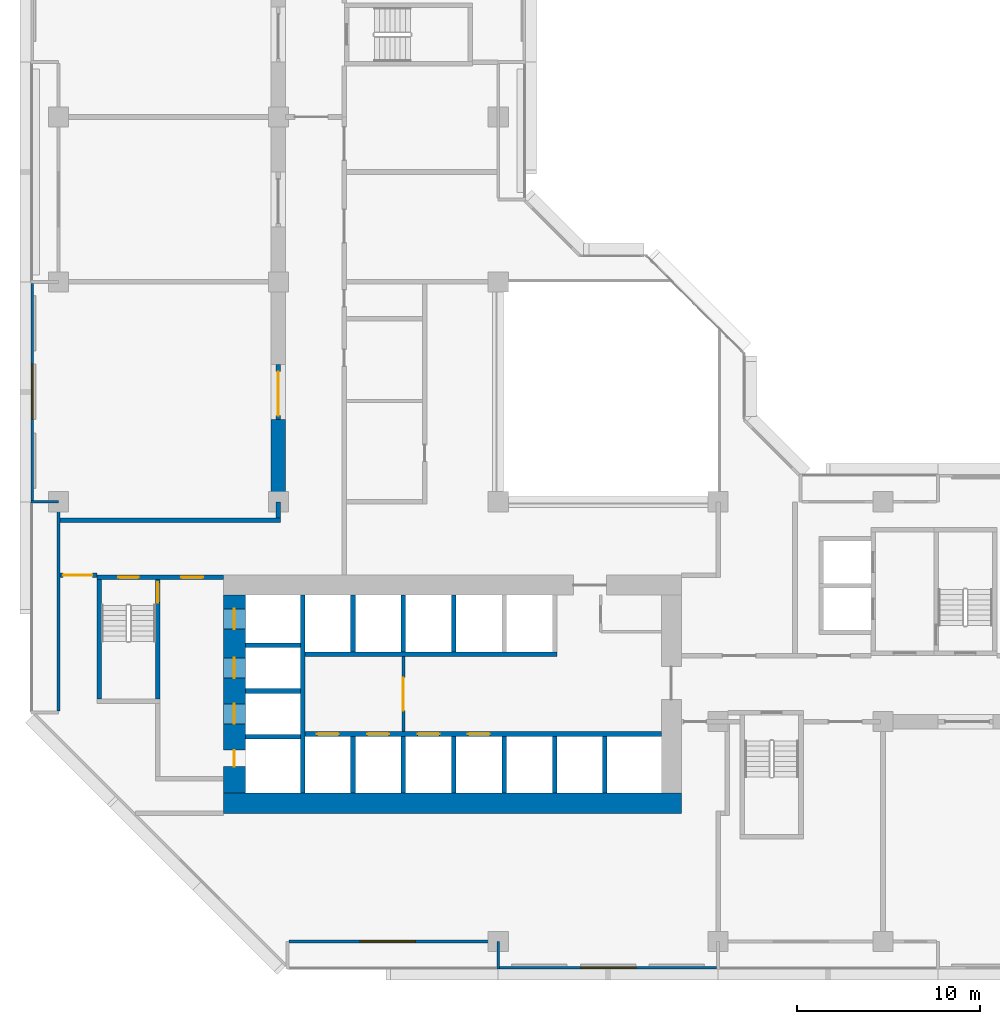
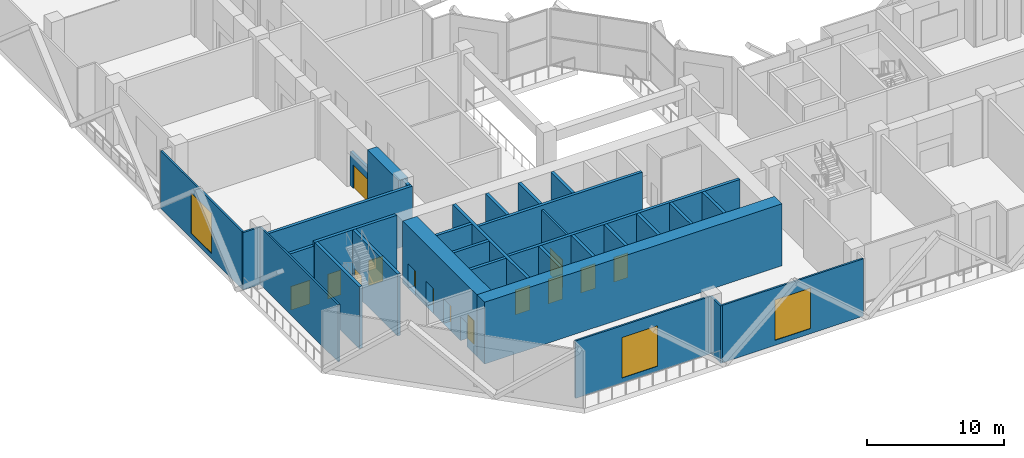
# One storey, part 6 of 14: 32 walls, 14 doors, 3 windows, 17 openings.
"""IFC4 building model written with IfcOpenShell, lengths in metres."""

from ifc_helpers import new_model, si_unit, direction, frame, frame_2d, origin, place, context, subcontext, project, spatial, rectangle, extrude, material, layer, layer_set, type_object, element, fill, save


model = new_model("IFC4")

# Units and contexts
model_context = context("Model", 3, precision=1e-05, world=origin(), true_north=direction((0.0, 1.0)))
body_context = subcontext(model_context, "Body", "Model", "MODEL_VIEW")
ifc_project = project(units=[si_unit("LENGTHUNIT", "METRE"), si_unit("AREAUNIT", "SQUARE_METRE"), si_unit("VOLUMEUNIT", "CUBIC_METRE"), si_unit("PLANEANGLEUNIT", "RADIAN"), si_unit("MASSUNIT", "GRAM", prefix="KILO")], contexts=[model_context])

# Site, building, storey
site_placement = place(None, origin())
site = spatial("IfcSite", under=ifc_project, at=site_placement, CompositionType="ELEMENT")
building_placement = place(site_placement, origin())
building = spatial("IfcBuilding", under=site, at=building_placement, Name="Chenar Terraces", CompositionType="ELEMENT")
storey_placement = place(building_placement, frame((0.0, 0.0, 86.39990234375)))
storey = spatial("IfcBuildingStorey", under=building, at=storey_placement, Name="L19", CompositionType="ELEMENT", Elevation=86.39990234375)

# Wall
ifc_material_1 = material(Name="Concrete C70/85", Category="concrete")
ifc_layer_1 = layer(ifc_material_1, 0.800048828125)
ifc_layer_set_1 = layer_set([ifc_layer_1], Name="Concrete C70/85")
wall_type_1 = type_object("IfcWallType", Name="Belt wall 800 Concrete C70/85", PredefinedType="SHEAR", material=ifc_layer_set_1)
wall_1_placement = place(storey_placement, frame((12.0, 24.0, 0.0), z_axis=(0.0, 0.0, 1.0), x_axis=(0.0, 1.0, 0.0)))
element("IfcWall", 1, at=wall_1_placement, inside=storey, type_object=wall_type_1, Name="Belt wall L19 B1", PredefinedType="SHEAR", context=body_context, shape_type="SweptSolid", body=[
    extrude(rectangle(XDim=4.5, YDim=0.800048828125, at=frame_2d((2.25, 0.0))), origin(), (0.0, 0.0, 1.0), 5.10009765625),
])

# Wall, opening, door
ifc_material_2 = material(Name="Gypsum board on steel studs", Category="steel")
ifc_layer_2 = layer(ifc_material_2, 0.14990234375)
ifc_layer_set_2 = layer_set([ifc_layer_2], Name="Gypsum board on steel studs")
wall_type_2 = type_object("IfcWallType", Name="Core partition 150 gypsum board", PredefinedType="PARTITIONING", material=ifc_layer_set_2)
wall_2_placement = place(storey_placement, frame((18.824951171875, 11.449951171875, 0.0), z_axis=(0.0, 0.0, 1.0), x_axis=(0.0, 1.0, 0.0)))
wall_2 = element("IfcWall", 2, at=wall_2_placement, inside=storey, type_object=wall_type_2, Name="Core partition CP1 lift lobby smoke stop", PredefinedType="PARTITIONING", context=body_context, shape_type="SweptSolid", body=[
    extrude(rectangle(XDim=4.10009765625, YDim=0.14990234375, at=frame_2d((2.050048828125, 0.0))), origin(), (0.0, 0.0, 1.0), 5.10009765625),
])
opening_1_placement = place(wall_2_placement, frame((1.14990234375, 0.0, 0.0)))
opening_1 = element("IfcOpeningElement", 3, at=opening_1_placement, cuts=wall_2, Name="Opening DL19-C12", PredefinedType="OPENING", context=body_context, shape_type="SweptSolid", body=[
    extrude(rectangle(XDim=1.800048828125, YDim=2.39990234375, at=frame_2d((0.89990234375, 1.199951171875))), frame((0.0, 0.0849609375, 0.0), z_axis=(0.0, -1.0, 0.0), x_axis=(1.0, 0.0, 0.0)), (0.0, 0.0, 1.0), 0.169921875),
])
ifc_material_3 = material(Name="Steel-framed fire-resisting door leaf", Category="steel")
door_type_1 = type_object("IfcDoorType", Name="Core entrance double fire door FD60 1800 x 2400", OperationType="DOUBLE_DOOR_SINGLE_SWING", PredefinedType="DOOR", material=ifc_material_3)
door_1_placement = place(opening_1_placement, origin())
door_1 = element("IfcDoor", 4, at=door_1_placement, inside=storey, type_object=door_type_1, Name="Core door DL19-C12", OperationType="DOUBLE_DOOR_SINGLE_SWING", OverallHeight=2.39990234375, OverallWidth=1.800048828125, PredefinedType="DOOR", context=body_context, shape_type="SweptSolid", body=[
    extrude(rectangle(XDim=1.800048828125, YDim=2.39990234375, at=frame_2d((0.89990234375, 1.199951171875))), frame((0.0, 0.02490234375, 0.0), z_axis=(0.0, -1.0, 0.0), x_axis=(1.0, 0.0, 0.0)), (0.0, 0.0, 1.0), 0.050048828125),
])
fill(opening_1, door_1)

# Wall
ifc_material_4 = material(Name="Concrete C70/85", Category="concrete")
ifc_layer_3 = layer(ifc_material_4, 1.10009765625)
ifc_layer_set_3 = layer_set([ifc_layer_3], Name="Concrete C70/85")
wall_type_3 = type_object("IfcWallType", Name="Core wall 1100 Concrete C70/85", PredefinedType="SHEAR", material=ifc_layer_set_3)
wall_3_placement = place(storey_placement, frame((9.0, 7.550048828125, 0.0), z_axis=(0.0, 0.0, 1.0), x_axis=(1.0, 0.0, 0.0)))
element("IfcWall", 5, at=wall_3_placement, inside=storey, type_object=wall_type_3, Name="Core wall S L19", PredefinedType="SHEAR", context=body_context, shape_type="SweptSolid", body=[
    extrude(rectangle(XDim=25.0, YDim=1.10009765625, at=frame_2d((12.5, 0.0))), origin(), (0.0, 0.0, 1.0), 5.5),
])

# Wall, openings, doors
ifc_material_5 = material(Name="Concrete C70/85", Category="concrete")
ifc_layer_4 = layer(ifc_material_5, 1.199951171875)
ifc_layer_set_4 = layer_set([ifc_layer_4], Name="Concrete C70/85")
wall_type_4 = type_object("IfcWallType", Name="Core wall 1200 Concrete C70/85", PredefinedType="SHEAR", material=ifc_layer_set_4)
wall_4_placement = place(storey_placement, frame((9.60009765625, 8.10009765625, 0.0), z_axis=(0.0, 0.0, 1.0), x_axis=(0.0, 1.0, 0.0)))
wall_4 = element("IfcWall", 6, at=wall_4_placement, inside=storey, type_object=wall_type_4, Name="Core wall W L19", PredefinedType="SHEAR", context=body_context, shape_type="SweptSolid", body=[
    extrude(rectangle(XDim=10.7998046875, YDim=1.199951171875, at=frame_2d((5.39990234375, 0.0))), origin(), (0.0, 0.0, 1.0), 5.5),
])
opening_2_placement = place(wall_4_placement, frame((3.77490234375, 0.0, 0.0)))
opening_2 = element("IfcOpeningElement", 7, at=opening_2_placement, cuts=wall_4, Name="Opening DL19-LD5", PredefinedType="OPENING", context=body_context, shape_type="SweptSolid", body=[
    extrude(rectangle(XDim=1.10009765625, YDim=2.199951171875, at=frame_2d((0.550048828125, 1.10009765625))), frame((0.0, 0.60986328125, 0.0), z_axis=(0.0, -1.0, 0.0), x_axis=(1.0, 0.0, 0.0)), (0.0, 0.0, 1.0), 1.219970703125),
])
opening_3_placement = place(wall_4_placement, frame((6.27490234375, 0.0, 0.0)))
opening_3 = element("IfcOpeningElement", 8, at=opening_3_placement, cuts=wall_4, Name="Opening DL19-LD6", PredefinedType="OPENING", context=body_context, shape_type="SweptSolid", body=[
    extrude(rectangle(XDim=1.10009765625, YDim=2.199951171875, at=frame_2d((0.550048828125, 1.10009765625))), frame((0.0, 0.60986328125, 0.0), z_axis=(0.0, -1.0, 0.0), x_axis=(1.0, 0.0, 0.0)), (0.0, 0.0, 1.0), 1.219970703125),
])
opening_4_placement = place(wall_4_placement, frame((8.949951171875, 0.0, 0.0)))
opening_4 = element("IfcOpeningElement", 9, at=opening_4_placement, cuts=wall_4, Name="Opening DL19-LD7", PredefinedType="OPENING", context=body_context, shape_type="SweptSolid", body=[
    extrude(rectangle(XDim=1.10009765625, YDim=2.199951171875, at=frame_2d((0.550048828125, 1.10009765625))), frame((0.0, 0.60986328125, 0.0), z_axis=(0.0, -1.0, 0.0), x_axis=(1.0, 0.0, 0.0)), (0.0, 0.0, 1.0), 1.219970703125),
])
opening_5_placement = place(wall_4_placement, frame((1.449951171875, 0.0, 0.0)))
opening_5 = element("IfcOpeningElement", 10, at=opening_5_placement, cuts=wall_4, Name="Opening DL19-C4", PredefinedType="OPENING", context=body_context, shape_type="SweptSolid", body=[
    extrude(rectangle(XDim=0.89990234375, YDim=2.10009765625, at=frame_2d((0.449951171875, 1.050048828125))), frame((0.0, 0.60986328125, 0.0), z_axis=(0.0, -1.0, 0.0), x_axis=(1.0, 0.0, 0.0)), (0.0, 0.0, 1.0), 1.219970703125),
])
ifc_material_6 = material(Name="Stainless steel", Category="steel")
door_type_2 = type_object("IfcDoorType", Name="Lift landing door 1100 x 2200 sliding", OperationType="DOUBLE_DOOR_SLIDING", PredefinedType="DOOR", material=ifc_material_6)
door_2_placement = place(opening_2_placement, origin())
door_2 = element("IfcDoor", 11, at=door_2_placement, inside=storey, type_object=door_type_2, Name="Landing door S1", OperationType="DOUBLE_DOOR_SLIDING", OverallHeight=2.199951171875, OverallWidth=1.10009765625, PredefinedType="DOOR", context=body_context, shape_type="SweptSolid", body=[
    extrude(rectangle(XDim=1.10009765625, YDim=2.199951171875, at=frame_2d((0.550048828125, 1.10009765625))), frame((0.0, 0.02490234375, 0.0), z_axis=(0.0, -1.0, 0.0), x_axis=(1.0, 0.0, 0.0)), (0.0, 0.0, 1.0), 0.050048828125),
])
fill(opening_2, door_2)
door_3_placement = place(opening_3_placement, origin())
door_3 = element("IfcDoor", 12, at=door_3_placement, inside=storey, type_object=door_type_2, Name="Landing door F1", OperationType="DOUBLE_DOOR_SLIDING", OverallHeight=2.199951171875, OverallWidth=1.10009765625, PredefinedType="DOOR", context=body_context, shape_type="SweptSolid", body=[
    extrude(rectangle(XDim=1.10009765625, YDim=2.199951171875, at=frame_2d((0.550048828125, 1.10009765625))), frame((0.0, 0.02490234375, 0.0), z_axis=(0.0, -1.0, 0.0), x_axis=(1.0, 0.0, 0.0)), (0.0, 0.0, 1.0), 0.050048828125),
])
fill(opening_3, door_3)
door_4_placement = place(opening_4_placement, origin())
door_4 = element("IfcDoor", 13, at=door_4_placement, inside=storey, type_object=door_type_2, Name="Landing door F2", OperationType="DOUBLE_DOOR_SLIDING", OverallHeight=2.199951171875, OverallWidth=1.10009765625, PredefinedType="DOOR", context=body_context, shape_type="SweptSolid", body=[
    extrude(rectangle(XDim=1.10009765625, YDim=2.199951171875, at=frame_2d((0.550048828125, 1.10009765625))), frame((0.0, 0.02490234375, 0.0), z_axis=(0.0, -1.0, 0.0), x_axis=(1.0, 0.0, 0.0)), (0.0, 0.0, 1.0), 0.050048828125),
])
fill(opening_4, door_4)
ifc_material_7 = material(Name="Steel-framed fire-resisting door leaf", Category="steel")
door_type_3 = type_object("IfcDoorType", Name="Riser fire door FD60 900 x 2100", OperationType="SINGLE_SWING_LEFT", PredefinedType="DOOR", material=ifc_material_7)
door_5_placement = place(opening_5_placement, frame((0.89990234375, 0.0, 0.0), z_axis=(0.0, 0.0, 1.0), x_axis=(-1.0, 0.0, 0.0)))
door_5 = element("IfcDoor", 14, at=door_5_placement, inside=storey, type_object=door_type_3, Name="Riser door DL19-C4", OperationType="SINGLE_SWING_RIGHT", OverallHeight=2.10009765625, OverallWidth=0.89990234375, PredefinedType="DOOR", context=body_context, shape_type="SweptSolid", body=[
    extrude(rectangle(XDim=0.89990234375, YDim=2.10009765625, at=frame_2d((0.449951171875, 1.050048828125))), frame((0.0, 0.02490234375, 0.0), z_axis=(0.0, -1.0, 0.0), x_axis=(1.0, 0.0, 0.0)), (0.0, 0.0, 1.0), 0.050048828125),
])
fill(opening_5, door_5)

# Wall
ifc_material_8 = material(Name="Concrete C70/85", Category="concrete")
ifc_layer_5 = layer(ifc_material_8, 0.25)
ifc_layer_set_5 = layer_set([ifc_layer_5], Name="Concrete C70/85")
wall_type_5 = type_object("IfcWallType", Name="Core wall 250 Concrete C70/85", PredefinedType="SHEAR", material=ifc_layer_set_5)
wall_5_placement = place(storey_placement, frame((13.324951171875, 8.10009765625, 0.0), z_axis=(0.0, 0.0, 1.0), x_axis=(0.0, 1.0, 0.0)))
element("IfcWall", 15, at=wall_5_placement, inside=storey, type_object=wall_type_5, Name="Core wall WI L19", PredefinedType="SHEAR", context=body_context, shape_type="SweptSolid", body=[
    extrude(rectangle(XDim=10.7998046875, YDim=0.25, at=frame_2d((5.39990234375, 0.0))), origin(), (0.0, 0.0, 1.0), 5.5),
])

# Wall, openings, doors
wall_6_placement = place(storey_placement, frame((13.449951171875, 11.324951171875, 0.0), z_axis=(0.0, 0.0, 1.0), x_axis=(1.0, 0.0, 0.0)))
wall_6 = element("IfcWall", 16, at=wall_6_placement, inside=storey, type_object=wall_type_5, Name="Core wall SF L19", PredefinedType="SHEAR", context=body_context, shape_type="SweptSolid", body=[
    extrude(rectangle(XDim=19.449951171875, YDim=0.25, at=frame_2d((9.72509765625, 0.0))), origin(), (0.0, 0.0, 1.0), 5.5),
])
opening_6_placement = place(wall_6_placement, frame((0.64990234375, 0.0, 0.0)))
opening_6 = element("IfcOpeningElement", 17, at=opening_6_placement, cuts=wall_6, Name="Opening DL19-LD1", PredefinedType="OPENING", context=body_context, shape_type="SweptSolid", body=[
    extrude(rectangle(XDim=1.199951171875, YDim=2.199951171875, at=frame_2d((0.60009765625, 1.10009765625))), frame((0.0, 0.135009765625, 0.0), z_axis=(0.0, -1.0, 0.0), x_axis=(1.0, 0.0, 0.0)), (0.0, 0.0, 1.0), 0.27001953125),
])
opening_7_placement = place(wall_6_placement, frame((3.39990234375, 0.0, 0.0)))
opening_7 = element("IfcOpeningElement", 18, at=opening_7_placement, cuts=wall_6, Name="Opening DL19-LD2", PredefinedType="OPENING", context=body_context, shape_type="SweptSolid", body=[
    extrude(rectangle(XDim=1.199951171875, YDim=2.199951171875, at=frame_2d((0.60009765625, 1.10009765625))), frame((0.0, 0.135009765625, 0.0), z_axis=(0.0, -1.0, 0.0), x_axis=(1.0, 0.0, 0.0)), (0.0, 0.0, 1.0), 0.27001953125),
])
opening_8_placement = place(wall_6_placement, frame((6.14990234375, 0.0, 0.0)))
opening_8 = element("IfcOpeningElement", 19, at=opening_8_placement, cuts=wall_6, Name="Opening DL19-LD3", PredefinedType="OPENING", context=body_context, shape_type="SweptSolid", body=[
    extrude(rectangle(XDim=1.199951171875, YDim=2.199951171875, at=frame_2d((0.60009765625, 1.10009765625))), frame((0.0, 0.135009765625, 0.0), z_axis=(0.0, -1.0, 0.0), x_axis=(1.0, 0.0, 0.0)), (0.0, 0.0, 1.0), 0.27001953125),
])
opening_9_placement = place(wall_6_placement, frame((8.89990234375, 0.0, 0.0)))
opening_9 = element("IfcOpeningElement", 20, at=opening_9_placement, cuts=wall_6, Name="Opening DL19-LD4", PredefinedType="OPENING", context=body_context, shape_type="SweptSolid", body=[
    extrude(rectangle(XDim=1.199951171875, YDim=2.199951171875, at=frame_2d((0.60009765625, 1.10009765625))), frame((0.0, 0.135009765625, 0.0), z_axis=(0.0, -1.0, 0.0), x_axis=(1.0, 0.0, 0.0)), (0.0, 0.0, 1.0), 0.27001953125),
])
ifc_material_9 = material(Name="Stainless steel", Category="steel")
door_type_4 = type_object("IfcDoorType", Name="Lift landing door 1200 x 2200 sliding", OperationType="DOUBLE_DOOR_SLIDING", PredefinedType="DOOR", material=ifc_material_9)
door_6_placement = place(opening_6_placement, origin())
door_6 = element("IfcDoor", 21, at=door_6_placement, inside=storey, type_object=door_type_4, Name="Landing door L1", OperationType="DOUBLE_DOOR_SLIDING", OverallHeight=2.199951171875, OverallWidth=1.199951171875, PredefinedType="DOOR", context=body_context, shape_type="SweptSolid", body=[
    extrude(rectangle(XDim=1.199951171875, YDim=2.199951171875, at=frame_2d((0.60009765625, 1.10009765625))), frame((0.0, 0.02490234375, 0.0), z_axis=(0.0, -1.0, 0.0), x_axis=(1.0, 0.0, 0.0)), (0.0, 0.0, 1.0), 0.050048828125),
])
fill(opening_6, door_6)
door_7_placement = place(opening_7_placement, origin())
door_7 = element("IfcDoor", 22, at=door_7_placement, inside=storey, type_object=door_type_4, Name="Landing door L2", OperationType="DOUBLE_DOOR_SLIDING", OverallHeight=2.199951171875, OverallWidth=1.199951171875, PredefinedType="DOOR", context=body_context, shape_type="SweptSolid", body=[
    extrude(rectangle(XDim=1.199951171875, YDim=2.199951171875, at=frame_2d((0.60009765625, 1.10009765625))), frame((0.0, 0.02490234375, 0.0), z_axis=(0.0, -1.0, 0.0), x_axis=(1.0, 0.0, 0.0)), (0.0, 0.0, 1.0), 0.050048828125),
])
fill(opening_7, door_7)
door_8_placement = place(opening_8_placement, origin())
door_8 = element("IfcDoor", 23, at=door_8_placement, inside=storey, type_object=door_type_4, Name="Landing door L3", OperationType="DOUBLE_DOOR_SLIDING", OverallHeight=2.199951171875, OverallWidth=1.199951171875, PredefinedType="DOOR", context=body_context, shape_type="SweptSolid", body=[
    extrude(rectangle(XDim=1.199951171875, YDim=2.199951171875, at=frame_2d((0.60009765625, 1.10009765625))), frame((0.0, 0.02490234375, 0.0), z_axis=(0.0, -1.0, 0.0), x_axis=(1.0, 0.0, 0.0)), (0.0, 0.0, 1.0), 0.050048828125),
])
fill(opening_8, door_8)
door_9_placement = place(opening_9_placement, origin())
door_9 = element("IfcDoor", 24, at=door_9_placement, inside=storey, type_object=door_type_4, Name="Landing door L4", OperationType="DOUBLE_DOOR_SLIDING", OverallHeight=2.199951171875, OverallWidth=1.199951171875, PredefinedType="DOOR", context=body_context, shape_type="SweptSolid", body=[
    extrude(rectangle(XDim=1.199951171875, YDim=2.199951171875, at=frame_2d((0.60009765625, 1.10009765625))), frame((0.0, 0.02490234375, 0.0), z_axis=(0.0, -1.0, 0.0), x_axis=(1.0, 0.0, 0.0)), (0.0, 0.0, 1.0), 0.050048828125),
])
fill(opening_9, door_9)

# Walls
wall_7_placement = place(storey_placement, frame((13.449951171875, 15.675048828125, 0.0), z_axis=(0.0, 0.0, 1.0), x_axis=(1.0, 0.0, 0.0)))
element("IfcWall", 25, at=wall_7_placement, inside=storey, type_object=wall_type_5, Name="Core wall NF L19", PredefinedType="SHEAR", context=body_context, shape_type="SweptSolid", body=[
    extrude(rectangle(XDim=13.75, YDim=0.25, at=frame_2d((6.875, 0.0))), origin(), (0.0, 0.0, 1.0), 5.5),
])
for number, where, z_axis, x_axis, name in (
    (26, (10.199951171875, 11.175048828125, 0.0), (0.0, 0.0, 1.0), (1.0, 0.0, 0.0), "Core wall HW0 L19"),
    (27, (10.199951171875, 13.675048828125, 0.0), (0.0, 0.0, 1.0), (1.0, 0.0, 0.0), "Core wall HW1 L19"),
    (28, (10.199951171875, 16.175048828125, 0.0), (0.0, 0.0, 1.0), (1.0, 0.0, 0.0), "Core wall HW2 L19"),
):
    element("IfcWall", number, at=place(storey_placement, frame(where, z_axis=z_axis, x_axis=x_axis)), inside=storey, type_object=wall_type_5, Name=name, PredefinedType="SHEAR", context=body_context, shape_type="SweptSolid", body=[
        extrude(rectangle(XDim=3.0, YDim=0.25, at=frame_2d((1.5, 0.0))), origin(), (0.0, 0.0, 1.0), 5.5),
    ])
for number, where, z_axis, x_axis, name in (
    (29, (16.074951171875, 8.10009765625, 0.0), (0.0, 0.0, 1.0), (0.0, 1.0, 0.0), "Core wall SS0 L19"),
    (30, (18.824951171875, 8.10009765625, 0.0), (0.0, 0.0, 1.0), (0.0, 1.0, 0.0), "Core wall SS1 L19"),
    (31, (21.574951171875, 8.10009765625, 0.0), (0.0, 0.0, 1.0), (0.0, 1.0, 0.0), "Core wall SS2 L19"),
    (32, (24.324951171875, 8.10009765625, 0.0), (0.0, 0.0, 1.0), (0.0, 1.0, 0.0), "Core wall SS3 L19"),
    (33, (27.074951171875, 8.10009765625, 0.0), (0.0, 0.0, 1.0), (0.0, 1.0, 0.0), "Core wall SS4 L19"),
    (34, (29.824951171875, 8.10009765625, 0.0), (0.0, 0.0, 1.0), (0.0, 1.0, 0.0), "Core wall SS5 L19"),
    (35, (16.074951171875, 15.800048828125, 0.0), (0.0, 0.0, 1.0), (0.0, 1.0, 0.0), "Core wall NS0 L19"),
    (36, (18.824951171875, 15.800048828125, 0.0), (0.0, 0.0, 1.0), (0.0, 1.0, 0.0), "Core wall NS1 L19"),
    (37, (21.574951171875, 15.800048828125, 0.0), (0.0, 0.0, 1.0), (0.0, 1.0, 0.0), "Core wall NS2 L19"),
):
    element("IfcWall", number, at=place(storey_placement, frame(where, z_axis=z_axis, x_axis=x_axis)), inside=storey, type_object=wall_type_5, Name=name, PredefinedType="SHEAR", context=body_context, shape_type="SweptSolid", body=[
        extrude(rectangle(XDim=3.099853515625, YDim=0.25, at=frame_2d((1.5498046875, 0.0))), origin(), (0.0, 0.0, 1.0), 5.5),
    ])

# Wall, openings, doors
wall_8_placement = place(storey_placement, frame((2.10009765625, 19.875, 0.0), z_axis=(0.0, 0.0, 1.0), x_axis=(1.0, 0.0, 0.0)))
wall_8 = element("IfcWall", 38, at=wall_8_placement, inside=storey, type_object=wall_type_5, Name="Core wall A_N L19", PredefinedType="SHEAR", context=body_context, shape_type="SweptSolid", body=[
    extrude(rectangle(XDim=6.89990234375, YDim=0.25, at=frame_2d((3.449951171875, 0.0))), origin(), (0.0, 0.0, 1.0), 5.5),
])
opening_10_placement = place(wall_8_placement, frame((1.175048828125, 0.0, 0.0)))
opening_10 = element("IfcOpeningElement", 39, at=opening_10_placement, cuts=wall_8, Name="Opening DL19-C5", PredefinedType="OPENING", context=body_context, shape_type="SweptSolid", body=[
    extrude(rectangle(XDim=1.10009765625, YDim=2.199951171875, at=frame_2d((0.550048828125, 1.10009765625))), frame((0.0, 0.135009765625, 0.0), z_axis=(0.0, -1.0, 0.0), x_axis=(1.0, 0.0, 0.0)), (0.0, 0.0, 1.0), 0.27001953125),
])
opening_11_placement = place(wall_8_placement, frame((4.60009765625, 0.0, 0.0)))
opening_11 = element("IfcOpeningElement", 40, at=opening_11_placement, cuts=wall_8, Name="Opening DL19-C6", PredefinedType="OPENING", context=body_context, shape_type="SweptSolid", body=[
    extrude(rectangle(XDim=1.199951171875, YDim=2.199951171875, at=frame_2d((0.60009765625, 1.10009765625))), frame((0.0, 0.135009765625, 0.0), z_axis=(0.0, -1.0, 0.0), x_axis=(1.0, 0.0, 0.0)), (0.0, 0.0, 1.0), 0.27001953125),
])
ifc_material_10 = material(Name="Steel-framed fire-resisting door leaf", Category="steel")
door_type_5 = type_object("IfcDoorType", Name="Lobby fire door FD60 1200 x 2200", OperationType="SINGLE_SWING_LEFT", PredefinedType="DOOR", material=ifc_material_10)
door_10_placement = place(opening_11_placement, frame((1.199951171875, 0.0, 0.0), z_axis=(0.0, 0.0, 1.0), x_axis=(-1.0, 0.0, 0.0)))
door_10 = element("IfcDoor", 41, at=door_10_placement, inside=storey, type_object=door_type_5, Name="Core door DL19-C6", OperationType="SINGLE_SWING_LEFT", OverallHeight=2.199951171875, OverallWidth=1.199951171875, PredefinedType="DOOR", context=body_context, shape_type="SweptSolid", body=[
    extrude(rectangle(XDim=1.199951171875, YDim=2.199951171875, at=frame_2d((0.60009765625, 1.10009765625))), frame((0.0, 0.02490234375, 0.0), z_axis=(0.0, -1.0, 0.0), x_axis=(1.0, 0.0, 0.0)), (0.0, 0.0, 1.0), 0.050048828125),
])
fill(opening_11, door_10)
ifc_material_11 = material(Name="Steel-framed fire-resisting door leaf", Category="steel")
door_type_6 = type_object("IfcDoorType", Name="Stair fire door FD60 1100 x 2200", OperationType="SINGLE_SWING_LEFT", PredefinedType="DOOR", material=ifc_material_11)
door_11_placement = place(opening_10_placement, origin())
door_11 = element("IfcDoor", 42, at=door_11_placement, inside=storey, type_object=door_type_6, Name="Stair door DL19-C5", OperationType="SINGLE_SWING_LEFT", OverallHeight=2.199951171875, OverallWidth=1.10009765625, PredefinedType="DOOR", context=body_context, shape_type="SweptSolid", body=[
    extrude(rectangle(XDim=1.10009765625, YDim=2.199951171875, at=frame_2d((0.550048828125, 1.10009765625))), frame((0.0, 0.02490234375, 0.0), z_axis=(0.0, -1.0, 0.0), x_axis=(1.0, 0.0, 0.0)), (0.0, 0.0, 1.0), 0.050048828125),
])
fill(opening_10, door_11)

# Wall
wall_9_placement = place(storey_placement, frame((2.22509765625, 13.25, 0.0), z_axis=(0.0, 0.0, 1.0), x_axis=(0.0, 1.0, 0.0)))
element("IfcWall", 43, at=wall_9_placement, inside=storey, type_object=wall_type_5, Name="Core wall ST1_W L19", PredefinedType="SHEAR", context=body_context, shape_type="SweptSolid", body=[
    extrude(rectangle(XDim=6.5, YDim=0.25, at=frame_2d((3.25, 0.0))), origin(), (0.0, 0.0, 1.0), 5.5),
])

# Wall, opening, door
wall_10_placement = place(storey_placement, frame((5.425048828125, 13.25, 0.0), z_axis=(0.0, 0.0, 1.0), x_axis=(0.0, 1.0, 0.0)))
wall_10 = element("IfcWall", 44, at=wall_10_placement, inside=storey, type_object=wall_type_5, Name="Core wall ST1_E L19", PredefinedType="SHEAR", context=body_context, shape_type="SweptSolid", body=[
    extrude(rectangle(XDim=6.5, YDim=0.25, at=frame_2d((3.25, 0.0))), origin(), (0.0, 0.0, 1.0), 5.5),
])
opening_12_placement = place(wall_10_placement, frame((5.25, 0.0, 0.0)))
opening_12 = element("IfcOpeningElement", 45, at=opening_12_placement, cuts=wall_10, Name="Opening DL19-C3", PredefinedType="OPENING", context=body_context, shape_type="SweptSolid", body=[
    extrude(rectangle(XDim=1.10009765625, YDim=2.199951171875, at=frame_2d((0.550048828125, 1.10009765625))), frame((0.0, 0.135009765625, 0.0), z_axis=(0.0, -1.0, 0.0), x_axis=(1.0, 0.0, 0.0)), (0.0, 0.0, 1.0), 0.27001953125),
])
door_12_placement = place(opening_12_placement, origin())
door_12 = element("IfcDoor", 46, at=door_12_placement, inside=storey, type_object=door_type_6, Name="Stair door DL19-C3", OperationType="SINGLE_SWING_RIGHT", OverallHeight=2.199951171875, OverallWidth=1.10009765625, PredefinedType="DOOR", context=body_context, shape_type="SweptSolid", body=[
    extrude(rectangle(XDim=1.10009765625, YDim=2.199951171875, at=frame_2d((0.550048828125, 1.10009765625))), frame((0.0, 0.02490234375, 0.0), z_axis=(0.0, -1.0, 0.0), x_axis=(1.0, 0.0, 0.0)), (0.0, 0.0, 1.0), 0.050048828125),
])
fill(opening_12, door_12)

# Wall, opening, window
ifc_material_12 = material(Name="Aluminium framed glazing", Category="aluminium")
ifc_layer_6 = layer(ifc_material_12, 0.14990234375)
ifc_layer_set_6 = layer_set([ifc_layer_6], Name="Aluminium framed glazing")
wall_type_6 = type_object("IfcWallType", Name="Glazed flush facade wall 150", PredefinedType="SOLIDWALL", material=ifc_layer_set_6)
wall_11_placement = place(storey_placement, frame((-1.425048828125, 35.925048828125, 0.0), z_axis=(0.0, 0.0, 1.0), x_axis=(0.0, -1.0, 0.0)))
wall_11 = element("IfcWall", 47, at=wall_11_placement, inside=storey, type_object=wall_type_6, Name="Glazed flush facade wall", PredefinedType="SOLIDWALL", context=body_context, shape_type="SweptSolid", body=[
    extrude(rectangle(XDim=11.85009765625, YDim=0.14990234375, at=frame_2d((5.925048828125, 0.0))), origin(), (0.0, 0.0, 1.0), 5.10009765625),
])
opening_13_placement = place(wall_11_placement, frame((4.425048828125, 0.0, 0.449951171875)))
opening_13 = element("IfcOpeningElement", 48, at=opening_13_placement, cuts=wall_11, Name="Opening W300x360", PredefinedType="OPENING", context=body_context, shape_type="SweptSolid", body=[
    extrude(rectangle(XDim=3.0, YDim=3.60009765625, at=frame_2d((1.5, 1.800048828125))), frame((0.0, 0.0849609375, 0.0), z_axis=(0.0, -1.0, 0.0), x_axis=(1.0, 0.0, 0.0)), (0.0, 0.0, 1.0), 0.169921875),
])
ifc_material_13 = material(Name="Low emissivity double glazing, aluminium frame", Category="aluminium")
window_type = type_object("IfcWindowType", Name="Fixed light 3000 x 3600", PartitioningType="SINGLE_PANEL", PredefinedType="WINDOW", material=ifc_material_13)
window_1_placement = place(opening_13_placement, origin())
window_1 = element("IfcWindow", 49, at=window_1_placement, inside=storey, type_object=window_type, Name="Window", OverallHeight=3.60009765625, OverallWidth=3.0, PartitioningType="SINGLE_PANEL", PredefinedType="WINDOW", context=body_context, shape_type="SweptSolid", body=[
    extrude(rectangle(XDim=3.0, YDim=3.60009765625, at=frame_2d((1.5, 1.800048828125))), frame((0.0, 0.030029296875, 0.0), z_axis=(0.0, -1.0, 0.0), x_axis=(1.0, 0.0, 0.0)), (0.0, 0.0, 1.0), 0.06005859375),
])
fill(opening_13, window_1)

wall_12_placement = place(storey_placement, frame((24.074951171875, -1.425048828125, 0.0), z_axis=(0.0, 0.0, 1.0), x_axis=(1.0, 0.0, 0.0)))
wall_12 = element("IfcWall", 50, at=wall_12_placement, inside=storey, type_object=wall_type_6, Name="Glazed flush facade wall", PredefinedType="SOLIDWALL", context=body_context, shape_type="SweptSolid", body=[
    extrude(rectangle(XDim=11.85009765625, YDim=0.14990234375, at=frame_2d((5.925048828125, 0.0))), origin(), (0.0, 0.0, 1.0), 5.10009765625),
])
opening_14_placement = place(wall_12_placement, frame((4.425048828125, 0.0, 0.449951171875)))
opening_14 = element("IfcOpeningElement", 51, at=opening_14_placement, cuts=wall_12, Name="Opening W300x360", PredefinedType="OPENING", context=body_context, shape_type="SweptSolid", body=[
    extrude(rectangle(XDim=3.0, YDim=3.60009765625, at=frame_2d((1.5, 1.800048828125))), frame((0.0, 0.0849609375, 0.0), z_axis=(0.0, -1.0, 0.0), x_axis=(1.0, 0.0, 0.0)), (0.0, 0.0, 1.0), 0.169921875),
])
window_2_placement = place(opening_14_placement, origin())
window_2 = element("IfcWindow", 52, at=window_2_placement, inside=storey, type_object=window_type, Name="Window", OverallHeight=3.60009765625, OverallWidth=3.0, PartitioningType="SINGLE_PANEL", PredefinedType="WINDOW", context=body_context, shape_type="SweptSolid", body=[
    extrude(rectangle(XDim=3.0, YDim=3.60009765625, at=frame_2d((1.5, 1.800048828125))), frame((0.0, 0.030029296875, 0.0), z_axis=(0.0, -1.0, 0.0), x_axis=(1.0, 0.0, 0.0)), (0.0, 0.0, 1.0), 0.06005859375),
])
fill(opening_14, window_2)

# Wall
ifc_material_14 = material(Name="Aluminium framed glazing", Category="aluminium")
ifc_layer_7 = layer(ifc_material_14, 0.14990234375)
ifc_layer_set_7 = layer_set([ifc_layer_7], Name="Aluminium framed glazing")
wall_type_7 = type_object("IfcWallType", Name="Glazed loggia back wall 150", PredefinedType="SOLIDWALL", material=ifc_layer_set_7)
wall_13_placement = place(storey_placement, frame((0.0, 23.925048828125, 0.0), z_axis=(0.0, 0.0, 1.0), x_axis=(0.0, -1.0, 0.0)))
element("IfcWall", 53, at=wall_13_placement, inside=storey, type_object=wall_type_7, Name="Glazed loggia back wall", PredefinedType="SOLIDWALL", context=body_context, shape_type="SweptSolid", body=[
    extrude(rectangle(XDim=11.35009765625, YDim=0.14990234375, at=frame_2d((5.675048828125, 0.0))), origin(), (0.0, 0.0, 1.0), 5.10009765625),
])

# Wall, opening, window
wall_14_placement = place(storey_placement, frame((12.574951171875, 0.0, 0.0), z_axis=(0.0, 0.0, 1.0), x_axis=(1.0, 0.0, 0.0)))
wall_14 = element("IfcWall", 54, at=wall_14_placement, inside=storey, type_object=wall_type_7, Name="Glazed loggia back wall", PredefinedType="SOLIDWALL", context=body_context, shape_type="SweptSolid", body=[
    extrude(rectangle(XDim=11.35009765625, YDim=0.14990234375, at=frame_2d((5.675048828125, 0.0))), origin(), (0.0, 0.0, 1.0), 5.10009765625),
])
opening_15_placement = place(wall_14_placement, frame((3.887451171875, 0.0, 0.449951171875)))
opening_15 = element("IfcOpeningElement", 55, at=opening_15_placement, cuts=wall_14, Name="Opening W300x360", PredefinedType="OPENING", context=body_context, shape_type="SweptSolid", body=[
    extrude(rectangle(XDim=3.0, YDim=3.60009765625, at=frame_2d((1.5, 1.800048828125))), frame((0.0, 0.0849609375, 0.0), z_axis=(0.0, -1.0, 0.0), x_axis=(1.0, 0.0, 0.0)), (0.0, 0.0, 1.0), 0.169921875),
])
window_3_placement = place(opening_15_placement, origin())
window_3 = element("IfcWindow", 56, at=window_3_placement, inside=storey, type_object=window_type, Name="Window", OverallHeight=3.60009765625, OverallWidth=3.0, PartitioningType="SINGLE_PANEL", PredefinedType="WINDOW", context=body_context, shape_type="SweptSolid", body=[
    extrude(rectangle(XDim=3.0, YDim=3.60009765625, at=frame_2d((1.5, 1.800048828125))), frame((0.0, 0.030029296875, 0.0), z_axis=(0.0, -1.0, 0.0), x_axis=(1.0, 0.0, 0.0)), (0.0, 0.0, 1.0), 0.06005859375),
])
fill(opening_15, window_3)

# Walls
ifc_material_15 = material(Name="Terracotta cladding on insulated backing", Category="masonry")
ifc_layer_8 = layer(ifc_material_15, 0.14990234375)
ifc_layer_set_8 = layer_set([ifc_layer_8], Name="Terracotta cladding on insulated backing")
wall_type_8 = type_object("IfcWallType", Name="Loggia return wall 150", PredefinedType="SOLIDWALL", material=ifc_layer_set_8)
for number, where, z_axis, x_axis, name in (
    (57, (-1.5, 24.0, 0.0), (0.0, 0.0, 1.0), (1.0, 0.0, 0.0), "Loggia return wall"),
    (58, (24.0, -1.5, 0.0), (0.0, 0.0, 1.0), (0.0, 1.0, 0.0), "Loggia return wall"),
):
    element("IfcWall", number, at=place(storey_placement, frame(where, z_axis=z_axis, x_axis=x_axis)), inside=storey, type_object=wall_type_8, Name=name, PredefinedType="SOLIDWALL", context=body_context, shape_type="SweptSolid", body=[
        extrude(rectangle(XDim=1.5, YDim=0.14990234375, at=frame_2d((0.75, 0.0))), origin(), (0.0, 0.0, 1.0), 5.10009765625),
    ])

# Wall, opening, door
ifc_material_16 = material(Name="Fire-board and steel stud wall with mineral wool", Category="steel")
ifc_layer_9 = layer(ifc_material_16, 0.25)
ifc_layer_set_9 = layer_set([ifc_layer_9], Name="Fire-board and steel stud wall with mineral wool")
wall_type_9 = type_object("IfcWallType", Name="Refuge compartment wall 250", PredefinedType="PARTITIONING", material=ifc_layer_set_9)
wall_15_placement = place(storey_placement, frame((0.073974609375, 20.0, 0.0), z_axis=(0.0, 0.0, 1.0), x_axis=(1.0, 0.0, 0.0)))
wall_15 = element("IfcWall", 59, at=wall_15_placement, inside=storey, type_object=wall_type_9, Name="Partition L19-003", PredefinedType="PARTITIONING", context=body_context, shape_type="SweptSolid", body=[
    extrude(rectangle(XDim=2.026123046875, YDim=0.25, at=frame_2d((1.01318359375, 0.0))), origin(), (0.0, 0.0, 1.0), 5.10009765625),
])
opening_16_placement = place(wall_15_placement, frame((0.176025390625, 0.0, 0.0)))
opening_16 = element("IfcOpeningElement", 60, at=opening_16_placement, cuts=wall_15, Name="Opening DL19-18", PredefinedType="OPENING", context=body_context, shape_type="SweptSolid", body=[
    extrude(rectangle(XDim=1.60009765625, YDim=2.10009765625, at=frame_2d((0.800048828125, 1.050048828125))), frame((0.0, 0.135009765625, 0.0), z_axis=(0.0, -1.0, 0.0), x_axis=(1.0, 0.0, 0.0)), (0.0, 0.0, 1.0), 0.27001953125),
])
ifc_material_17 = material(Name="Steel-framed fire-resisting door leaf", Category="steel")
door_type_7 = type_object("IfcDoorType", Name="Fire double door FD120 1600 x 2100", OperationType="DOUBLE_DOOR_SINGLE_SWING", PredefinedType="DOOR", material=ifc_material_17)
door_13_placement = place(opening_16_placement, frame((1.60009765625, 0.0, 0.0), z_axis=(0.0, 0.0, 1.0), x_axis=(-1.0, 0.0, 0.0)))
door_13 = element("IfcDoor", 61, at=door_13_placement, inside=storey, type_object=door_type_7, Name="Door DL19-18", OperationType="DOUBLE_DOOR_SINGLE_SWING", OverallHeight=2.10009765625, OverallWidth=1.60009765625, PredefinedType="DOOR", context=body_context, shape_type="SweptSolid", body=[
    extrude(rectangle(XDim=1.60009765625, YDim=2.10009765625, at=frame_2d((0.800048828125, 1.050048828125))), frame((0.0, 0.02490234375, 0.0), z_axis=(0.0, -1.0, 0.0), x_axis=(1.0, 0.0, 0.0)), (0.0, 0.0, 1.0), 0.050048828125),
])
fill(opening_16, door_13)

# Walls
wall_16_placement = place(storey_placement, frame((0.073974609375, 23.0, 0.0), z_axis=(0.0, 0.0, 1.0), x_axis=(1.0, 0.0, 0.0)))
element("IfcWall", 62, at=wall_16_placement, inside=storey, type_object=wall_type_9, Name="Partition L19-004", PredefinedType="PARTITIONING", context=body_context, shape_type="SweptSolid", body=[
    extrude(rectangle(XDim=12.051025390625, YDim=0.25, at=frame_2d((6.025390625, 0.0))), origin(), (0.0, 0.0, 1.0), 5.10009765625),
])
wall_17_placement = place(storey_placement, frame((12.0, 23.125, 0.0), z_axis=(0.0, 0.0, 1.0), x_axis=(0.0, 1.0, 0.0)))
element("IfcWall", 63, at=wall_17_placement, inside=storey, type_object=wall_type_9, Name="Partition L19-007", PredefinedType="PARTITIONING", context=body_context, shape_type="SweptSolid", body=[
    extrude(rectangle(XDim=0.8759765625, YDim=0.25, at=frame_2d((0.43798828125, 0.0))), origin(), (0.0, 0.0, 1.0), 5.10009765625),
])

# Wall, opening, door
wall_18_placement = place(storey_placement, frame((12.0, 28.4990234375, 0.0), z_axis=(0.0, 0.0, 1.0), x_axis=(0.0, 1.0, 0.0)))
wall_18 = element("IfcWall", 64, at=wall_18_placement, inside=storey, type_object=wall_type_9, Name="Partition L19-008", PredefinedType="PARTITIONING", context=body_context, shape_type="SweptSolid", body=[
    extrude(rectangle(XDim=3.001953125, YDim=0.25, at=frame_2d((1.5009765625, 0.0))), origin(), (0.0, 0.0, 1.0), 3.050048828125),
])
opening_17_placement = place(wall_18_placement, frame((0.200927734375, 0.0, 0.0)))
opening_17 = element("IfcOpeningElement", 65, at=opening_17_placement, cuts=wall_18, Name="Opening DL19-13", PredefinedType="OPENING", context=body_context, shape_type="SweptSolid", body=[
    extrude(rectangle(XDim=2.39990234375, YDim=2.10009765625, at=frame_2d((1.199951171875, 1.050048828125))), frame((0.0, 0.135009765625, 0.0), z_axis=(0.0, -1.0, 0.0), x_axis=(1.0, 0.0, 0.0)), (0.0, 0.0, 1.0), 0.27001953125),
])
ifc_material_18 = material(Name="Steel-framed fire-resisting door leaf", Category="steel")
door_type_8 = type_object("IfcDoorType", Name="Fire double door FD120 2400 x 2100", OperationType="DOUBLE_DOOR_SINGLE_SWING", PredefinedType="DOOR", material=ifc_material_18)
door_14_placement = place(opening_17_placement, origin())
door_14 = element("IfcDoor", 66, at=door_14_placement, inside=storey, type_object=door_type_8, Name="Door DL19-13", OperationType="DOUBLE_DOOR_SINGLE_SWING", OverallHeight=2.10009765625, OverallWidth=2.39990234375, PredefinedType="DOOR", context=body_context, shape_type="SweptSolid", body=[
    extrude(rectangle(XDim=2.39990234375, YDim=2.10009765625, at=frame_2d((1.199951171875, 1.050048828125))), frame((0.0, 0.02490234375, 0.0), z_axis=(0.0, -1.0, 0.0), x_axis=(1.0, 0.0, 0.0)), (0.0, 0.0, 1.0), 0.050048828125),
])
fill(opening_17, door_14)

save(model, "model.ifc")
